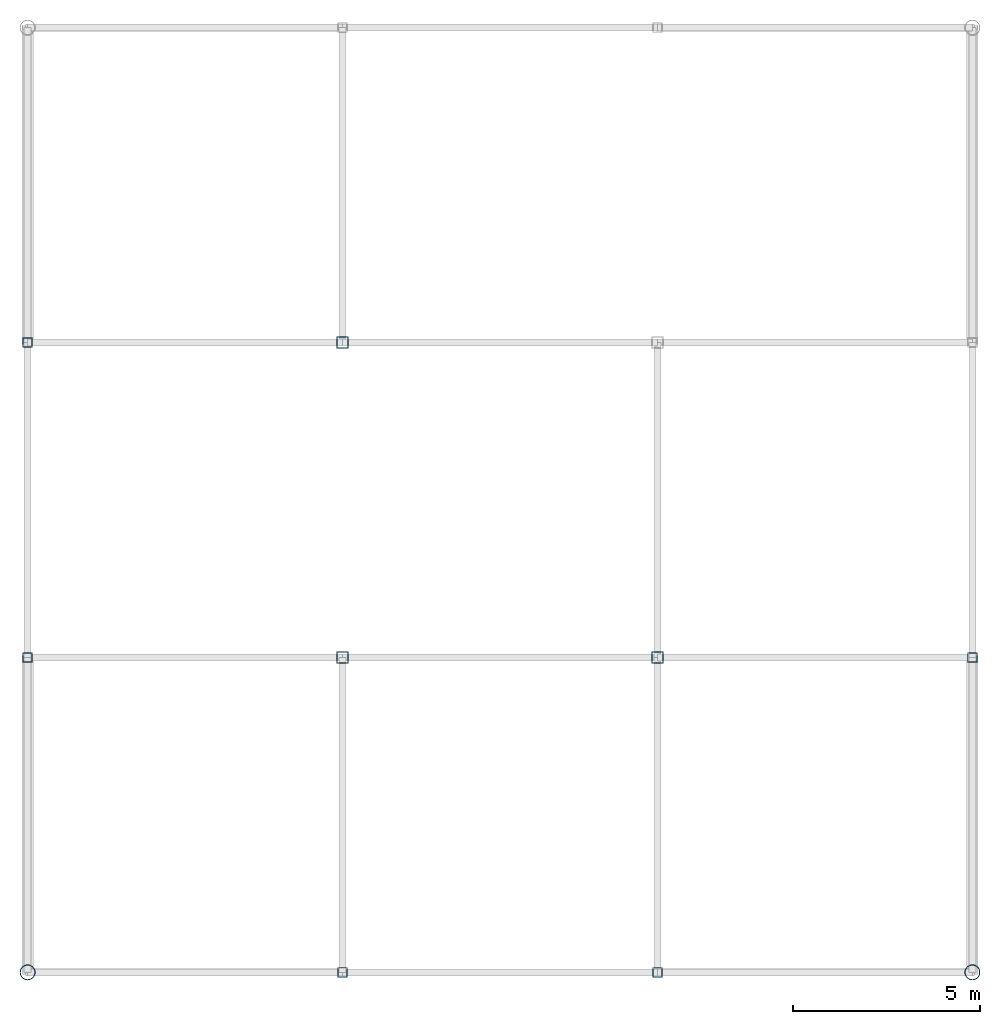
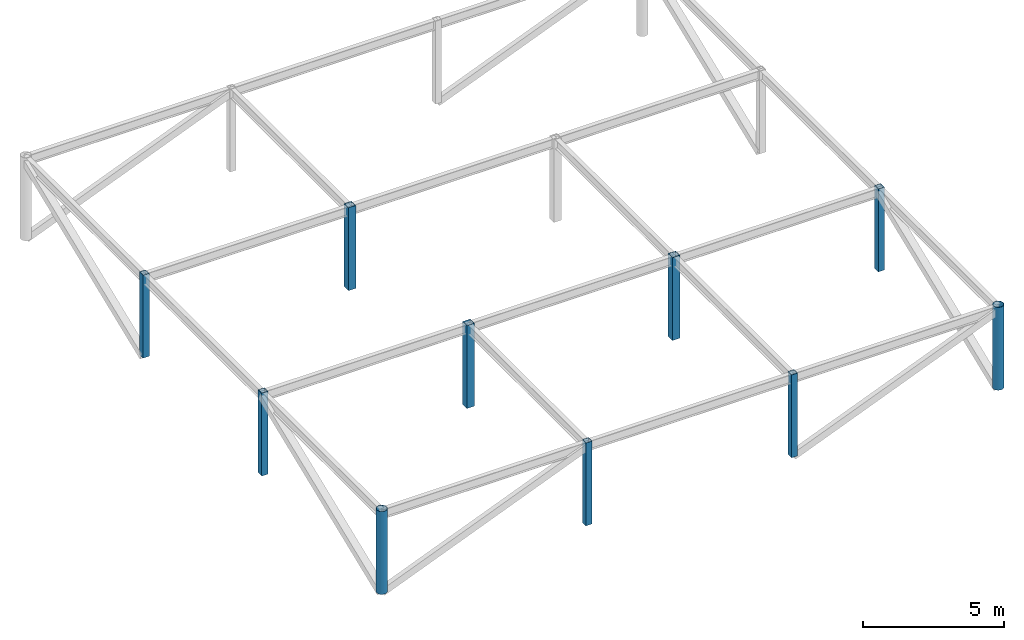
# One storey, part 1 of 3: 10 columns.
"""IFC4 building model written with IfcOpenShell, lengths in metres."""

from ifc_helpers import new_model, si_unit, direction, frame, origin, origin_2d, place, context, subcontext, project, spatial, hollow_rectangle, hollow_circle, extrude, material, material_profile, profile_set, type_object, element, save


model = new_model("IFC4")

# Units and contexts
model_context = context("Model", 3, precision=1e-05, world=origin(), true_north=direction((0.0, 1.0)))
body_context = subcontext(model_context, "Body", "Model", "MODEL_VIEW")
ifc_project = project(units=[si_unit("LENGTHUNIT", "METRE"), si_unit("AREAUNIT", "SQUARE_METRE"), si_unit("VOLUMEUNIT", "CUBIC_METRE"), si_unit("PLANEANGLEUNIT", "RADIAN"), si_unit("MASSUNIT", "GRAM", prefix="KILO")], contexts=[model_context])

# Site, building, storey
site_placement = place(None, origin())
site = spatial("IfcSite", under=ifc_project, at=site_placement, CompositionType="ELEMENT")
building_placement = place(site_placement, origin())
building = spatial("IfcBuilding", under=site, at=building_placement, Name="Almacenes y Pasaje Nevantli", CompositionType="ELEMENT")
storey_placement = place(building_placement, frame((0.0, 0.0, 71.199951171875)))
storey = spatial("IfcBuildingStorey", under=building, at=storey_placement, Name="RF", CompositionType="ELEMENT", Elevation=71.199951171875)

# Columns
ifc_material_1 = material(Name="Steel ASTM A500 Grade C", Category="steel")
ifc_material_profile_1 = material_profile(ifc_material_1, hollow_circle(Radius=0.203125, WallThickness=0.0126953125, at=origin_2d()), Name="OC 406x12.7")
ifc_profile_set_1 = profile_set([ifc_material_profile_1], Name="Steel ASTM A500 Grade C")
column_type_1 = type_object("IfcColumnType", Name="COL-STL-OC406", PredefinedType="COLUMN", material=ifc_profile_set_1)
for number, where, z_axis, x_axis, name in (
    (1, (117.60009765625, 67.199951171875, 0.0), (0.0, 0.0, 1.0), (1.0, 0.0, 0.0), "L16 Broken-Pediment Crown Steel Column (117.6,67.2)"),
    (2, (142.800048828125, 67.199951171875, 0.0), (0.0, 0.0, 1.0), (1.0, 0.0, 0.0), "L16 Broken-Pediment Crown Steel Column (142.8,67.2)"),
):
    element("IfcColumn", number, at=place(storey_placement, frame(where, z_axis=z_axis, x_axis=x_axis)), inside=storey, type_object=column_type_1, Name=name, PredefinedType="COLUMN", context=body_context, shape_type="SweptSolid", body=[
        extrude(hollow_circle(Radius=0.203125, WallThickness=0.0126953125, at=origin_2d()), origin(), (0.0, 0.0, 1.0), 3.580078125),
    ])
ifc_material_2 = material(Name="Steel ASTM A500 Grade C", Category="steel")
ifc_material_profile_2 = material_profile(ifc_material_2, hollow_rectangle(XDim=0.25390625, YDim=0.25390625, WallThickness=0.009521484375, at=origin_2d()), Name="OR 254x254x9.5")
ifc_profile_set_2 = profile_set([ifc_material_profile_2], Name="Steel ASTM A500 Grade C")
column_type_2 = type_object("IfcColumnType", Name="COL-STL-OR254", PredefinedType="COLUMN", material=ifc_profile_set_2)
for number, where, z_axis, x_axis, name in (
    (3, (117.60009765625, 75.60009765625, 0.0), (0.0, 0.0, 1.0), (1.0, 0.0, 0.0), "L16 Broken-Pediment Crown Steel Column (117.6,75.6)"),
    (4, (117.60009765625, 84.0, 0.0), (0.0, 0.0, 1.0), (1.0, 0.0, 0.0), "L16 Broken-Pediment Crown Steel Column (117.6,84.0)"),
    (5, (126.0, 67.199951171875, 0.0), (0.0, 0.0, 1.0), (1.0, 0.0, 0.0), "L16 Broken-Pediment Crown Steel Column (126.0,67.2)"),
    (6, (134.39990234375, 67.199951171875, 0.0), (0.0, 0.0, 1.0), (1.0, 0.0, 0.0), "L16 Broken-Pediment Crown Steel Column (134.4,67.2)"),
    (7, (142.800048828125, 75.60009765625, 0.0), (0.0, 0.0, 1.0), (1.0, 0.0, 0.0), "L16 Broken-Pediment Crown Steel Column (142.8,75.6)"),
):
    element("IfcColumn", number, at=place(storey_placement, frame(where, z_axis=z_axis, x_axis=x_axis)), inside=storey, type_object=column_type_2, Name=name, PredefinedType="COLUMN", context=body_context, shape_type="SweptSolid", body=[
        extrude(hollow_rectangle(XDim=0.25390625, YDim=0.25390625, WallThickness=0.009521484375, at=origin_2d()), origin(), (0.0, 0.0, 1.0), 3.580078125),
    ])
ifc_material_3 = material(Name="Steel ASTM A500 Grade C", Category="steel")
ifc_material_profile_3 = material_profile(ifc_material_3, hollow_rectangle(XDim=0.3046875, YDim=0.3046875, WallThickness=0.0126953125, at=origin_2d()), Name="OR 305x305x12.7")
ifc_profile_set_3 = profile_set([ifc_material_profile_3], Name="Steel ASTM A500 Grade C")
column_type_3 = type_object("IfcColumnType", Name="COL-STL-OR305", PredefinedType="COLUMN", material=ifc_profile_set_3)
for number, where, z_axis, x_axis, name in (
    (8, (126.0, 75.60009765625, 0.0), (0.0, 0.0, 1.0), (1.0, 0.0, 0.0), "L16 Broken-Pediment Crown Steel Column (126.0,75.6)"),
    (9, (126.0, 84.0, 0.0), (0.0, 0.0, 1.0), (1.0, 0.0, 0.0), "L16 Broken-Pediment Crown Steel Column (126.0,84.0)"),
    (10, (134.39990234375, 75.60009765625, 0.0), (0.0, 0.0, 1.0), (1.0, 0.0, 0.0), "L16 Broken-Pediment Crown Steel Column (134.4,75.6)"),
):
    element("IfcColumn", number, at=place(storey_placement, frame(where, z_axis=z_axis, x_axis=x_axis)), inside=storey, type_object=column_type_3, Name=name, PredefinedType="COLUMN", context=body_context, shape_type="SweptSolid", body=[
        extrude(hollow_rectangle(XDim=0.3046875, YDim=0.3046875, WallThickness=0.0126953125, at=origin_2d()), origin(), (0.0, 0.0, 1.0), 3.580078125),
    ])

save(model, "model.ifc")
